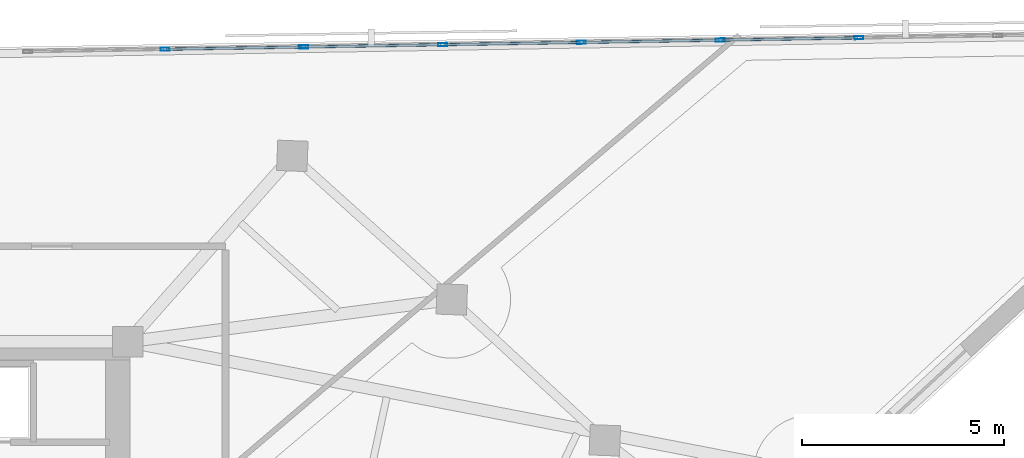
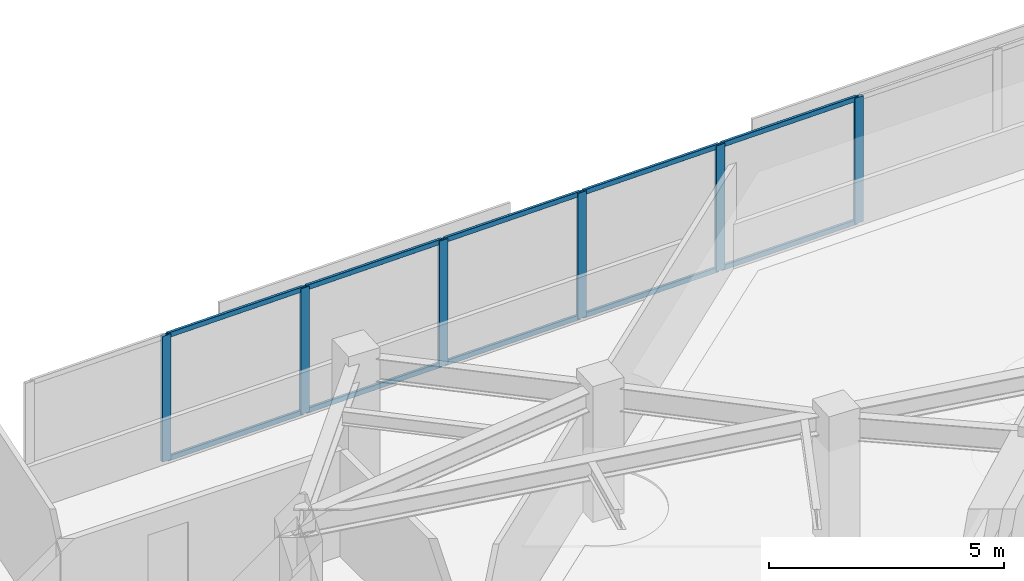
# One storey, part 5 of 13: 16 members, 1 element without a shape of its own.
"""IFC4 building model written with IfcOpenShell, lengths in metres."""

from ifc_helpers import new_model, si_unit, direction, frame, origin, origin_2d, place, context, subcontext, project, spatial, hollow_rectangle, extrude, material, material_profile, profile_set, type_object, element, aggregate, save


model = new_model("IFC4")

# Units and contexts
model_context = context("Model", 3, precision=1e-05, world=origin(), true_north=direction((0.0, 1.0)))
body_context = subcontext(model_context, "Body", "Model", "MODEL_VIEW")
ifc_project = project(units=[si_unit("LENGTHUNIT", "METRE"), si_unit("AREAUNIT", "SQUARE_METRE"), si_unit("VOLUMEUNIT", "CUBIC_METRE"), si_unit("PLANEANGLEUNIT", "RADIAN"), si_unit("MASSUNIT", "GRAM", prefix="KILO")], contexts=[model_context])

# Site, building, storey
site_placement = place(None, origin())
site = spatial("IfcSite", under=ifc_project, at=site_placement, CompositionType="ELEMENT")
building_placement = place(site_placement, origin())
building = spatial("IfcBuilding", under=site, at=building_placement, Name="Narakoshi Arena Tower", CompositionType="ELEMENT")
storey_placement = place(building_placement, frame((0.0, 0.0, 278.340087890625)))
storey = spatial("IfcBuildingStorey", under=building, at=storey_placement, Name="L76", CompositionType="ELEMENT", Elevation=278.340087890625)

# Curtain wall, members
ifc_material = material(Name="Anodised bronze aluminium 6063-T6", Category="aluminium")
curtain_wall_type = type_object("IfcCurtainWallType", Name="CW-HYP-HIGH", PredefinedType="NOTDEFINED", material=ifc_material)
curtain_wall_placement = place(storey_placement, origin())
curtain_wall = element("IfcCurtainWall", 1, at=curtain_wall_placement, inside=storey, type_object=curtain_wall_type, Name="L76 Folded Hypotenuse Curtain Wall 1-1", PredefinedType="NOTDEFINED")
ifc_material_profile_1 = material_profile(ifc_material, hollow_rectangle(XDim=0.080078125, YDim=0.219970703125, WallThickness=0.0048828125, OuterFilletRadius=0.006103515625, at=origin_2d()), Name="MUL220x80x5")
ifc_profile_set_1 = profile_set([ifc_material_profile_1], Name="Anodised bronze aluminium 6063-T6")
member_type_1 = type_object("IfcMemberType", Name="MEM-MUL-220", PredefinedType="MULLION", material=ifc_profile_set_1)
member_1_placement = place(storey_placement, frame((103.604248046875, 64.005615234375, 0.0), z_axis=(0.0, 0.0, 1.0), x_axis=(0.016442997569, -0.999864804777, 0.0)))
member_1 = element("IfcMember", 2, at=member_1_placement, type_object=member_type_1, Name="CW-03 mullion 3", PredefinedType="MULLION", context=body_context, shape_type="SweptSolid", body=[
    extrude(hollow_rectangle(XDim=0.080078125, YDim=0.219970703125, WallThickness=0.0048828125, OuterFilletRadius=0.006103515625, at=origin_2d()), origin(), (0.0, 0.0, 1.0), 3.260009765625),
])
member_2_placement = place(storey_placement, frame((100.177001953125, 63.94921875, 0.0), z_axis=(0.0, 0.0, 1.0), x_axis=(0.016442997569, -0.999864804777, 0.0)))
member_2 = element("IfcMember", 3, at=member_2_placement, type_object=member_type_1, Name="CW-03 mullion 4", PredefinedType="MULLION", context=body_context, shape_type="SweptSolid", body=[
    extrude(hollow_rectangle(XDim=0.080078125, YDim=0.219970703125, WallThickness=0.0048828125, OuterFilletRadius=0.006103515625, at=origin_2d()), origin(), (0.0, 0.0, 1.0), 3.260009765625),
])
member_3_placement = place(storey_placement, frame((96.749755859375, 63.89306640625, 0.0), z_axis=(0.0, 0.0, 1.0), x_axis=(0.016442997569, -0.999864804777, 0.0)))
member_3 = element("IfcMember", 4, at=member_3_placement, type_object=member_type_1, Name="CW-03 mullion 5", PredefinedType="MULLION", context=body_context, shape_type="SweptSolid", body=[
    extrude(hollow_rectangle(XDim=0.080078125, YDim=0.219970703125, WallThickness=0.0048828125, OuterFilletRadius=0.006103515625, at=origin_2d()), origin(), (0.0, 0.0, 1.0), 3.260009765625),
])
member_4_placement = place(storey_placement, frame((93.322509765625, 63.836669921875, 0.0), z_axis=(0.0, 0.0, 1.0), x_axis=(0.016442997569, -0.999864804777, 0.0)))
member_4 = element("IfcMember", 5, at=member_4_placement, type_object=member_type_1, Name="CW-03 mullion 6", PredefinedType="MULLION", context=body_context, shape_type="SweptSolid", body=[
    extrude(hollow_rectangle(XDim=0.080078125, YDim=0.219970703125, WallThickness=0.0048828125, OuterFilletRadius=0.006103515625, at=origin_2d()), origin(), (0.0, 0.0, 1.0), 3.260009765625),
])
member_5_placement = place(storey_placement, frame((89.895263671875, 63.7802734375, 0.0), z_axis=(0.0, 0.0, 1.0), x_axis=(0.016442997569, -0.999864804777, 0.0)))
member_5 = element("IfcMember", 6, at=member_5_placement, type_object=member_type_1, Name="CW-03 mullion 7", PredefinedType="MULLION", context=body_context, shape_type="SweptSolid", body=[
    extrude(hollow_rectangle(XDim=0.080078125, YDim=0.219970703125, WallThickness=0.0048828125, OuterFilletRadius=0.006103515625, at=origin_2d()), origin(), (0.0, 0.0, 1.0), 3.260009765625),
])
member_6_placement = place(storey_placement, frame((86.4677734375, 63.723876953125, 0.0), z_axis=(0.0, 0.0, 1.0), x_axis=(0.016442997569, -0.999864804777, 0.0)))
member_6 = element("IfcMember", 7, at=member_6_placement, type_object=member_type_1, Name="CW-03 mullion 8", PredefinedType="MULLION", context=body_context, shape_type="SweptSolid", body=[
    extrude(hollow_rectangle(XDim=0.080078125, YDim=0.219970703125, WallThickness=0.0048828125, OuterFilletRadius=0.006103515625, at=origin_2d()), origin(), (0.0, 0.0, 1.0), 3.260009765625),
])
ifc_material_profile_2 = material_profile(ifc_material, hollow_rectangle(XDim=0.06494140625, YDim=0.1298828125, WallThickness=0.00390625, OuterFilletRadius=0.0048828125, at=origin_2d()), Name="TRN130x65x4")
ifc_profile_set_2 = profile_set([ifc_material_profile_2], Name="Anodised bronze aluminium 6063-T6")
member_type_2 = type_object("IfcMemberType", Name="MEM-TRN-130", PredefinedType="USERDEFINED", material=ifc_profile_set_2)
member_7_placement = place(storey_placement, frame((103.564208984375, 64.005126953125, 0.032470703125), z_axis=(-0.999864161313, -0.016482078808, 0.0), x_axis=(0.016482078808, -0.999864161313, 0.0)))
member_7 = element("IfcMember", 8, at=member_7_placement, type_object=member_type_2, Name="CW-03 transom 3.1", ObjectType="TRANSOM", PredefinedType="USERDEFINED", context=body_context, shape_type="SweptSolid", body=[
    extrude(hollow_rectangle(XDim=0.06494140625, YDim=0.1298828125, WallThickness=0.00390625, OuterFilletRadius=0.0048828125, at=origin_2d()), origin(), (0.0, 0.0, 1.0), 3.34765625),
])
member_8_placement = place(storey_placement, frame((103.564208984375, 64.005126953125, 3.227294921875), z_axis=(-0.999864161313, -0.016482078808, 0.0), x_axis=(0.016482078808, -0.999864161313, 0.0)))
member_8 = element("IfcMember", 9, at=member_8_placement, type_object=member_type_2, Name="CW-03 transom 3.2", ObjectType="TRANSOM", PredefinedType="USERDEFINED", context=body_context, shape_type="SweptSolid", body=[
    extrude(hollow_rectangle(XDim=0.06494140625, YDim=0.1298828125, WallThickness=0.00390625, OuterFilletRadius=0.0048828125, at=origin_2d()), origin(), (0.0, 0.0, 1.0), 3.34765625),
])
member_9_placement = place(storey_placement, frame((100.136962890625, 63.94873046875, 0.032470703125), z_axis=(-0.999864161313, -0.016482078808, 0.0), x_axis=(0.016482078808, -0.999864161313, 0.0)))
member_9 = element("IfcMember", 10, at=member_9_placement, type_object=member_type_2, Name="CW-03 transom 4.1", ObjectType="TRANSOM", PredefinedType="USERDEFINED", context=body_context, shape_type="SweptSolid", body=[
    extrude(hollow_rectangle(XDim=0.06494140625, YDim=0.1298828125, WallThickness=0.00390625, OuterFilletRadius=0.0048828125, at=origin_2d()), origin(), (0.0, 0.0, 1.0), 3.34765625),
])
member_10_placement = place(storey_placement, frame((100.136962890625, 63.94873046875, 3.227294921875), z_axis=(-0.999864161313, -0.016482078808, 0.0), x_axis=(0.016482078808, -0.999864161313, 0.0)))
member_10 = element("IfcMember", 11, at=member_10_placement, type_object=member_type_2, Name="CW-03 transom 4.2", ObjectType="TRANSOM", PredefinedType="USERDEFINED", context=body_context, shape_type="SweptSolid", body=[
    extrude(hollow_rectangle(XDim=0.06494140625, YDim=0.1298828125, WallThickness=0.00390625, OuterFilletRadius=0.0048828125, at=origin_2d()), origin(), (0.0, 0.0, 1.0), 3.34765625),
])
member_11_placement = place(storey_placement, frame((96.709716796875, 63.892333984375, 0.032470703125), z_axis=(-0.999864161313, -0.016482078808, 0.0), x_axis=(0.016482078808, -0.999864161313, 0.0)))
member_11 = element("IfcMember", 12, at=member_11_placement, type_object=member_type_2, Name="CW-03 transom 5.1", ObjectType="TRANSOM", PredefinedType="USERDEFINED", context=body_context, shape_type="SweptSolid", body=[
    extrude(hollow_rectangle(XDim=0.06494140625, YDim=0.1298828125, WallThickness=0.00390625, OuterFilletRadius=0.0048828125, at=origin_2d()), origin(), (0.0, 0.0, 1.0), 3.34765625),
])
member_12_placement = place(storey_placement, frame((96.709716796875, 63.892333984375, 3.227294921875), z_axis=(-0.999864161313, -0.016482078808, 0.0), x_axis=(0.016482078808, -0.999864161313, 0.0)))
member_12 = element("IfcMember", 13, at=member_12_placement, type_object=member_type_2, Name="CW-03 transom 5.2", ObjectType="TRANSOM", PredefinedType="USERDEFINED", context=body_context, shape_type="SweptSolid", body=[
    extrude(hollow_rectangle(XDim=0.06494140625, YDim=0.1298828125, WallThickness=0.00390625, OuterFilletRadius=0.0048828125, at=origin_2d()), origin(), (0.0, 0.0, 1.0), 3.34765625),
])
member_13_placement = place(storey_placement, frame((93.282470703125, 63.8359375, 0.032470703125), z_axis=(-0.999864181123, -0.016480877028, 0.0), x_axis=(0.016480877028, -0.999864181123, 0.0)))
member_13 = element("IfcMember", 14, at=member_13_placement, type_object=member_type_2, Name="CW-03 transom 6.1", ObjectType="TRANSOM", PredefinedType="USERDEFINED", context=body_context, shape_type="SweptSolid", body=[
    extrude(hollow_rectangle(XDim=0.06494140625, YDim=0.1298828125, WallThickness=0.00390625, OuterFilletRadius=0.0048828125, at=origin_2d()), origin(), (0.0, 0.0, 1.0), 3.347900390625),
])
member_14_placement = place(storey_placement, frame((93.282470703125, 63.8359375, 3.227294921875), z_axis=(-0.999864181123, -0.016480877028, 0.0), x_axis=(0.016480877028, -0.999864181123, 0.0)))
member_14 = element("IfcMember", 15, at=member_14_placement, type_object=member_type_2, Name="CW-03 transom 6.2", ObjectType="TRANSOM", PredefinedType="USERDEFINED", context=body_context, shape_type="SweptSolid", body=[
    extrude(hollow_rectangle(XDim=0.06494140625, YDim=0.1298828125, WallThickness=0.00390625, OuterFilletRadius=0.0048828125, at=origin_2d()), origin(), (0.0, 0.0, 1.0), 3.347900390625),
])
member_15_placement = place(storey_placement, frame((89.855224609375, 63.779541015625, 0.032470703125), z_axis=(-0.999865380158, -0.01640797247, 0.0), x_axis=(0.01640797247, -0.999865380158, 0.0)))
member_15 = element("IfcMember", 16, at=member_15_placement, type_object=member_type_2, Name="CW-03 transom 7.1", ObjectType="TRANSOM", PredefinedType="USERDEFINED", context=body_context, shape_type="SweptSolid", body=[
    extrude(hollow_rectangle(XDim=0.06494140625, YDim=0.1298828125, WallThickness=0.00390625, OuterFilletRadius=0.0048828125, at=origin_2d()), origin(), (0.0, 0.0, 1.0), 3.347900390625),
])
member_16_placement = place(storey_placement, frame((89.855224609375, 63.779541015625, 3.227294921875), z_axis=(-0.999865380158, -0.01640797247, 0.0), x_axis=(0.01640797247, -0.999865380158, 0.0)))
member_16 = element("IfcMember", 17, at=member_16_placement, type_object=member_type_2, Name="CW-03 transom 7.2", ObjectType="TRANSOM", PredefinedType="USERDEFINED", context=body_context, shape_type="SweptSolid", body=[
    extrude(hollow_rectangle(XDim=0.06494140625, YDim=0.1298828125, WallThickness=0.00390625, OuterFilletRadius=0.0048828125, at=origin_2d()), origin(), (0.0, 0.0, 1.0), 3.347900390625),
])
aggregate(curtain_wall, [member_1, member_2, member_3, member_4, member_5, member_6, member_7, member_8, member_9, member_10, member_11, member_12, member_13, member_14, member_15, member_16])

save(model, "model.ifc")
